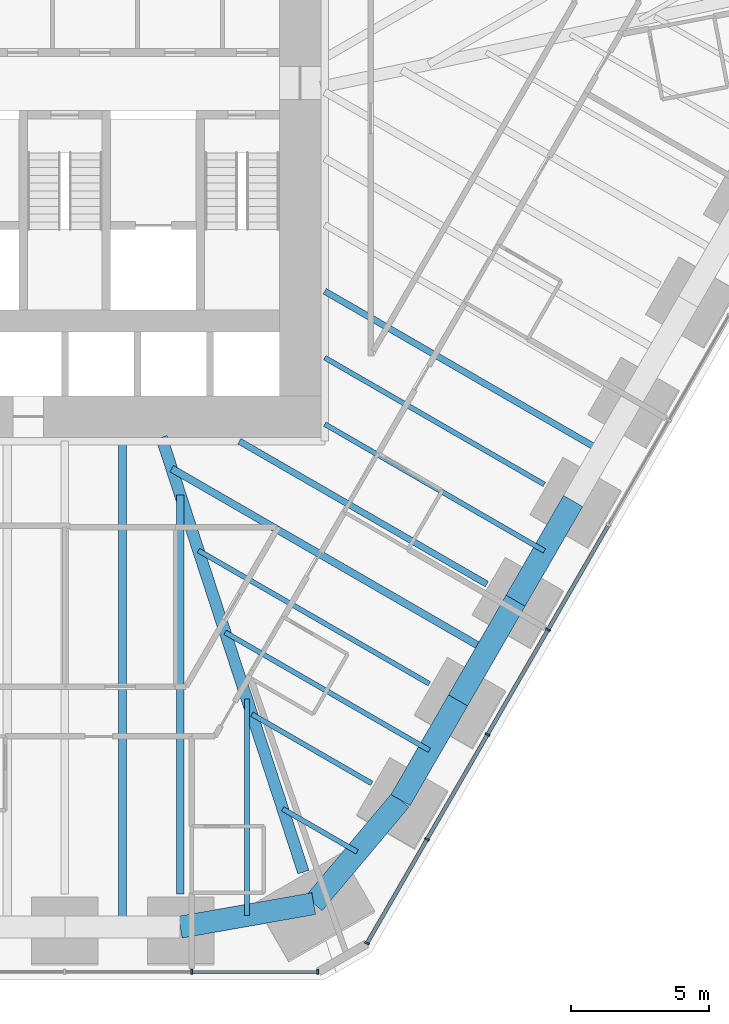
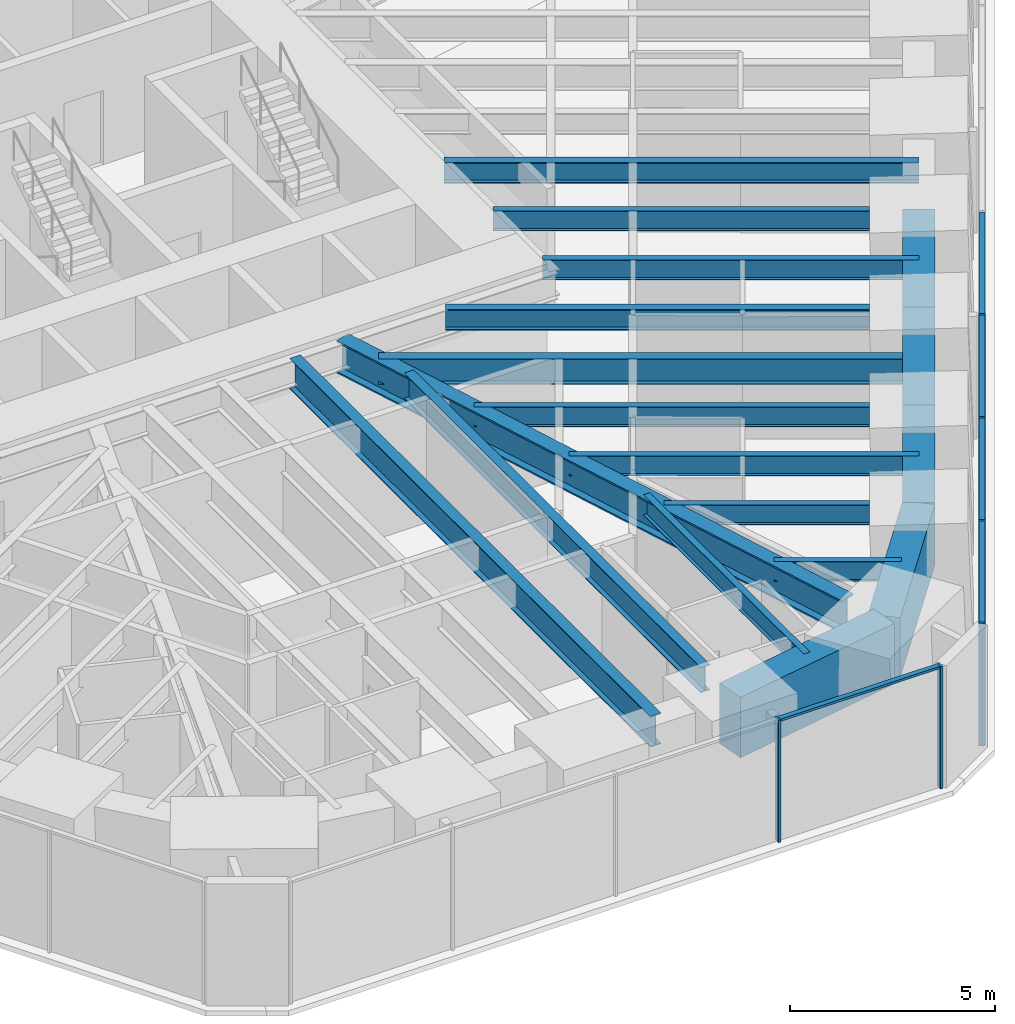
# One storey, part 5 of 17: 18 beams, 11 members, 2 elements without a shape of their own.
"""IFC4 building model written with IfcOpenShell, lengths in metres."""

from ifc_helpers import new_model, si_unit, direction, frame, origin, origin_2d, place, context, subcontext, project, spatial, rectangle, i_section, extrude, material, material_profile, profile_set, type_object, element, aggregate, save


model = new_model("IFC4")

# Units and contexts
model_context = context("Model", 3, precision=1e-05, world=origin(), true_north=direction((0.0, 1.0)))
body_context = subcontext(model_context, "Body", "Model", "MODEL_VIEW")
ifc_project = project(units=[si_unit("LENGTHUNIT", "METRE"), si_unit("AREAUNIT", "SQUARE_METRE"), si_unit("VOLUMEUNIT", "CUBIC_METRE"), si_unit("PLANEANGLEUNIT", "RADIAN"), si_unit("MASSUNIT", "GRAM", prefix="KILO")], contexts=[model_context])

# Site, building, storey
site_placement = place(None, origin())
site = spatial("IfcSite", under=ifc_project, at=site_placement, CompositionType="ELEMENT")
building_placement = place(site_placement, origin())
building = spatial("IfcBuilding", under=site, at=building_placement, Name="Sandreach Pilgrim Tower", CompositionType="ELEMENT")
storey_placement = place(building_placement, frame((0.0, 0.0, 61.0)))
storey = spatial("IfcBuildingStorey", under=building, at=storey_placement, Name="L14", CompositionType="ELEMENT", Elevation=61.0)

# Curtain wall, members
ifc_material_1 = material(Name="Aluminium framed curtain wall", Category="aluminium")
curtain_wall_type = type_object("IfcCurtainWallType", Name="Hostel tower curtain wall", PredefinedType="NOTDEFINED", material=ifc_material_1)
curtain_wall_1_placement = place(storey_placement, origin())
curtain_wall_1 = element("IfcCurtainWall", 1, at=curtain_wall_1_placement, inside=storey, type_object=curtain_wall_type, Name="CW-1 L14 SE", PredefinedType="NOTDEFINED")
ifc_material_2 = material(Name="Aluminium extrusion", Category="aluminium")
ifc_material_profile_1 = material_profile(ifc_material_2, rectangle(XDim=0.06494140625, YDim=0.179931640625, at=origin_2d()), Name="CW-1M 65X180")
ifc_profile_set_1 = profile_set([ifc_material_profile_1], Name="Aluminium extrusion")
member_type_1 = type_object("IfcMemberType", Name="CW-1 mullion", PredefinedType="MULLION", material=ifc_profile_set_1)
member_1_placement = place(storey_placement, frame((17.46142578125, -17.6533203125, 0.0), z_axis=(0.0, 0.0, 1.0), x_axis=(-0.5, -0.866025403784, 0.0)))
member_1 = element("IfcMember", 2, at=member_1_placement, type_object=member_type_1, Name="CW-1 mullion 7", PredefinedType="MULLION", context=body_context, shape_type="SweptSolid", body=[
    extrude(rectangle(XDim=0.06494140625, YDim=0.179931640625, at=origin_2d()), origin(), (0.0, 0.0, 1.0), 3.639892578125),
])
member_2_placement = place(storey_placement, frame((15.275634765625, -21.439208984375, 0.0), z_axis=(0.0, 0.0, 1.0), x_axis=(-0.5, -0.866025403784, 0.0)))
member_2 = element("IfcMember", 3, at=member_2_placement, type_object=member_type_1, Name="CW-1 mullion 8", PredefinedType="MULLION", context=body_context, shape_type="SweptSolid", body=[
    extrude(rectangle(XDim=0.06494140625, YDim=0.179931640625, at=origin_2d()), origin(), (0.0, 0.0, 1.0), 3.639892578125),
])
member_3_placement = place(storey_placement, frame((13.08984375, -25.22509765625, 0.0), z_axis=(0.0, 0.0, 1.0), x_axis=(-0.5, -0.866025403784, 0.0)))
member_3 = element("IfcMember", 4, at=member_3_placement, type_object=member_type_1, Name="CW-1 mullion 9", PredefinedType="MULLION", context=body_context, shape_type="SweptSolid", body=[
    extrude(rectangle(XDim=0.06494140625, YDim=0.179931640625, at=origin_2d()), origin(), (0.0, 0.0, 1.0), 3.639892578125),
])
member_4_placement = place(storey_placement, frame((10.92041015625, -28.982666015625, 0.0), z_axis=(0.0, 0.0, 1.0), x_axis=(-0.5, -0.866025403784, 0.0)))
member_4 = element("IfcMember", 5, at=member_4_placement, type_object=member_type_1, Name="CW-1 mullion 10", PredefinedType="MULLION", context=body_context, shape_type="SweptSolid", body=[
    extrude(rectangle(XDim=0.06494140625, YDim=0.179931640625, at=origin_2d()), origin(), (0.0, 0.0, 1.0), 3.639892578125),
])

curtain_wall_2_placement = place(storey_placement, origin())
curtain_wall_2 = element("IfcCurtainWall", 6, at=curtain_wall_2_placement, inside=storey, type_object=curtain_wall_type, Name="CW-1 L14 S", PredefinedType="NOTDEFINED")
member_5_placement = place(storey_placement, frame((9.1396484375, -30.010986328125, 0.0), z_axis=(0.0, 0.0, 1.0), x_axis=(-1.0, 0.0, 0.0)))
member_5 = element("IfcMember", 7, at=member_5_placement, type_object=member_type_1, Name="CW-1 mullion 1", PredefinedType="MULLION", context=body_context, shape_type="SweptSolid", body=[
    extrude(rectangle(XDim=0.06494140625, YDim=0.179931640625, at=origin_2d()), origin(), (0.0, 0.0, 1.0), 3.639892578125),
])
member_6_placement = place(storey_placement, frame((4.5859375, -30.010986328125, 0.0), z_axis=(0.0, 0.0, 1.0), x_axis=(-1.0, 0.0, 0.0)))
member_6 = element("IfcMember", 8, at=member_6_placement, type_object=member_type_1, Name="CW-1 mullion 2", PredefinedType="MULLION", context=body_context, shape_type="SweptSolid", body=[
    extrude(rectangle(XDim=0.06494140625, YDim=0.179931640625, at=origin_2d()), origin(), (0.0, 0.0, 1.0), 3.639892578125),
])

# Member
ifc_material_3 = material(Name="Aluminium extrusion", Category="aluminium")
ifc_material_profile_2 = material_profile(ifc_material_3, rectangle(XDim=0.139892578125, YDim=0.070068359375, at=origin_2d()), Name="CW-1T 140X70")
ifc_profile_set_2 = profile_set([ifc_material_profile_2], Name="Aluminium extrusion")
member_type_2 = type_object("IfcMemberType", Name="CW-1 transom", PredefinedType="USERDEFINED", material=ifc_profile_set_2)
member_7_placement = place(storey_placement, frame((19.631103515625, -13.8955078125, 3.60498046875), z_axis=(-0.500016891966, -0.866015650984, 0.0), x_axis=(0.866015650984, -0.500016891966, 0.0)))
member_7 = element("IfcMember", 9, at=member_7_placement, type_object=member_type_2, Name="CW-1 head transom 6", ObjectType="TRANSOM", PredefinedType="USERDEFINED", context=body_context, shape_type="SweptSolid", body=[
    extrude(rectangle(XDim=0.139892578125, YDim=0.070068359375, at=origin_2d()), origin(), (0.0, 0.0, 1.0), 4.306396484375),
])

member_8_placement = place(storey_placement, frame((17.4453125, -17.681396484375, 3.60498046875), z_axis=(-0.500016891966, -0.866015650984, 0.0), x_axis=(0.866015650984, -0.500016891966, 0.0)))
member_8 = element("IfcMember", 10, at=member_8_placement, type_object=member_type_2, Name="CW-1 head transom 7", ObjectType="TRANSOM", PredefinedType="USERDEFINED", context=body_context, shape_type="SweptSolid", body=[
    extrude(rectangle(XDim=0.139892578125, YDim=0.070068359375, at=origin_2d()), origin(), (0.0, 0.0, 1.0), 4.306396484375),
])

member_9_placement = place(storey_placement, frame((15.259521484375, -21.46728515625, 3.60498046875), z_axis=(-0.500016891966, -0.866015650984, 0.0), x_axis=(0.866015650984, -0.500016891966, 0.0)))
member_9 = element("IfcMember", 11, at=member_9_placement, type_object=member_type_2, Name="CW-1 head transom 8", ObjectType="TRANSOM", PredefinedType="USERDEFINED", context=body_context, shape_type="SweptSolid", body=[
    extrude(rectangle(XDim=0.139892578125, YDim=0.070068359375, at=origin_2d()), origin(), (0.0, 0.0, 1.0), 4.306396484375),
])

member_10_placement = place(storey_placement, frame((13.07373046875, -25.253173828125, 3.60498046875), z_axis=(-0.500033953635, -0.866005799756, 0.0), x_axis=(0.866005799756, -0.500033953635, 0.0)))
member_10 = element("IfcMember", 12, at=member_10_placement, type_object=member_type_2, Name="CW-1 head transom 9", ObjectType="TRANSOM", PredefinedType="USERDEFINED", context=body_context, shape_type="SweptSolid", body=[
    extrude(rectangle(XDim=0.139892578125, YDim=0.070068359375, at=origin_2d()), origin(), (0.0, 0.0, 1.0), 4.274169921875),
])

aggregate(curtain_wall_1, [member_1, member_2, member_3, member_4, member_7, member_8, member_9, member_10])

member_11_placement = place(storey_placement, frame((9.107177734375, -30.010986328125, 3.60498046875), z_axis=(-1.0, 0.0, 0.0), x_axis=(0.0, -1.0, 0.0)))
member_11 = element("IfcMember", 13, at=member_11_placement, type_object=member_type_2, Name="CW-1 head transom 1", ObjectType="TRANSOM", PredefinedType="USERDEFINED", context=body_context, shape_type="SweptSolid", body=[
    extrude(rectangle(XDim=0.139892578125, YDim=0.070068359375, at=origin_2d()), origin(), (0.0, 0.0, 1.0), 4.488525390625),
])

aggregate(curtain_wall_2, [member_5, member_6, member_11])

# Beams
ifc_material_4 = material(Name="Steel ASTM A992 Grade 50", Category="steel")
ifc_material_profile_3 = material_profile(ifc_material_4, i_section(OverallWidth=0.421630859375, OverallDepth=0.95751953125, WebThickness=0.02587890625, FlangeThickness=0.046875, at=origin_2d()), Name="W36X330")
ifc_profile_set_3 = profile_set([ifc_material_profile_3], Name="Steel ASTM A992 Grade 50")
beam_type_1 = type_object("IfcBeamType", Name="Corner girder W36X330", PredefinedType="BEAM", material=ifc_profile_set_3)
beam_1_placement = place(storey_placement, frame((8.62109375, -26.41015625, 3.1611328125), z_axis=(-0.310322772323, 0.950631251842, 0.0), x_axis=(-0.950631251842, -0.310322772323, 0.0)))
element("IfcBeam", 14, at=beam_1_placement, inside=storey, type_object=beam_type_1, Name="BM L14 CG22", PredefinedType="BEAM", context=body_context, shape_type="SweptSolid", body=[
    extrude(i_section(OverallWidth=0.421630859375, OverallDepth=0.95751953125, WebThickness=0.02587890625, FlangeThickness=0.046875, at=origin_2d()), origin(), (0.0, 0.0, 1.0), 16.526123046875),
])
ifc_material_5 = material(Name="Steel ASTM A992 Grade 50", Category="steel")
ifc_material_profile_4 = material_profile(ifc_material_5, i_section(OverallWidth=0.1787109375, OverallDepth=0.60205078125, WebThickness=0.010986328125, FlangeThickness=0.014892578125, at=origin_2d()), Name="W24X62")
ifc_profile_set_4 = profile_set([ifc_material_profile_4], Name="Steel ASTM A992 Grade 50")
beam_type_2 = type_object("IfcBeamType", Name="Floor beam W24X62", PredefinedType="BEAM", material=ifc_profile_set_4)
beam_2_placement = place(storey_placement, frame((17.328369140625, -12.4052734375, 3.339111328125), z_axis=(-0.866025847402, 0.499999231632, 0.0), x_axis=(-0.499999231632, -0.866025847402, 0.0)))
element("IfcBeam", 15, at=beam_2_placement, inside=storey, type_object=beam_type_2, Name="BM L14 F18", PredefinedType="BEAM", context=body_context, shape_type="SweptSolid", body=[
    extrude(i_section(OverallWidth=0.1787109375, OverallDepth=0.60205078125, WebThickness=0.010986328125, FlangeThickness=0.014892578125, at=origin_2d()), origin(), (0.0, 0.0, 1.0), 9.16259765625),
])
beam_3_placement = place(storey_placement, frame((13.17041015625, -19.607421875, 3.339111328125), z_axis=(-0.86602604797, 0.499998884236, 0.0), x_axis=(-0.499998884236, -0.86602604797, 0.0)))
element("IfcBeam", 16, at=beam_3_placement, inside=storey, type_object=beam_type_2, Name="BM L14 F20", PredefinedType="BEAM", context=body_context, shape_type="SweptSolid", body=[
    extrude(i_section(OverallWidth=0.1787109375, OverallDepth=0.60205078125, WebThickness=0.010986328125, FlangeThickness=0.014892578125, at=origin_2d()), origin(), (0.0, 0.0, 1.0), 9.6328125),
])
beam_4_placement = place(storey_placement, frame((11.09130859375, -23.208251953125, 3.339111328125), z_axis=(-0.866023836113, 0.500002715276, 0.0), x_axis=(-0.500002715276, -0.866023836113, 0.0)))
element("IfcBeam", 17, at=beam_4_placement, inside=storey, type_object=beam_type_2, Name="BM L14 F21", PredefinedType="BEAM", context=body_context, shape_type="SweptSolid", body=[
    extrude(i_section(OverallWidth=0.1787109375, OverallDepth=0.60205078125, WebThickness=0.010986328125, FlangeThickness=0.014892578125, at=origin_2d()), origin(), (0.0, 0.0, 1.0), 5.001953125),
])
beam_5_placement = place(storey_placement, frame((17.328125, -14.8056640625, 3.339111328125), z_axis=(-0.866030723977, 0.499990785043, 0.0), x_axis=(-0.499990785043, -0.866030723977, 0.0)))
element("IfcBeam", 18, at=beam_5_placement, inside=storey, type_object=beam_type_2, Name="BM L14 FM18", PredefinedType="BEAM", context=body_context, shape_type="SweptSolid", body=[
    extrude(i_section(OverallWidth=0.1787109375, OverallDepth=0.60205078125, WebThickness=0.010986328125, FlangeThickness=0.014892578125, at=origin_2d()), origin(), (0.0, 0.0, 1.0), 9.162353515625),
])
beam_6_placement = place(storey_placement, frame((13.169921875, -22.0078125, 3.339111328125), z_axis=(-0.866031407177, 0.499989601675, 0.0), x_axis=(-0.499989601675, -0.866031407177, 0.0)))
element("IfcBeam", 19, at=beam_6_placement, inside=storey, type_object=beam_type_2, Name="BM L14 FM20", PredefinedType="BEAM", context=body_context, shape_type="SweptSolid", body=[
    extrude(i_section(OverallWidth=0.1787109375, OverallDepth=0.60205078125, WebThickness=0.010986328125, FlangeThickness=0.014892578125, at=origin_2d()), origin(), (0.0, 0.0, 1.0), 8.517333984375),
])
beam_7_placement = place(storey_placement, frame((10.56201171875, -25.6796875, 3.339111328125), z_axis=(-0.86602039108, 0.500008682159, 0.0), x_axis=(-0.500008682159, -0.86602039108, 0.0)))
element("IfcBeam", 20, at=beam_7_placement, inside=storey, type_object=beam_type_2, Name="BM L14 FM21", PredefinedType="BEAM", context=body_context, shape_type="SweptSolid", body=[
    extrude(i_section(OverallWidth=0.1787109375, OverallDepth=0.60205078125, WebThickness=0.010986328125, FlangeThickness=0.014892578125, at=origin_2d()), origin(), (0.0, 0.0, 1.0), 3.10107421875),
])
beam_8_placement = place(storey_placement, frame((6.582275390625, -27.976318359375, 3.339111328125), z_axis=(0.0, 1.0, 0.0), x_axis=(-1.0, 0.0, 0.0)))
element("IfcBeam", 21, at=beam_8_placement, inside=storey, type_object=beam_type_2, Name="BM L14 FM22", PredefinedType="BEAM", context=body_context, shape_type="SweptSolid", body=[
    extrude(i_section(OverallWidth=0.1787109375, OverallDepth=0.60205078125, WebThickness=0.010986328125, FlangeThickness=0.014892578125, at=origin_2d()), origin(), (0.0, 0.0, 1.0), 7.811767578125),
])
ifc_material_6 = material(Name="Steel ASTM A992 Grade 50", Category="steel")
ifc_material_profile_5 = material_profile(ifc_material_6, i_section(OverallWidth=0.23046875, OverallDepth=0.6171875, WebThickness=0.01318359375, FlangeThickness=0.022216796875, at=origin_2d()), Name="W24X94")
ifc_profile_set_5 = profile_set([ifc_material_profile_5], Name="Steel ASTM A992 Grade 50")
beam_type_3 = type_object("IfcBeamType", Name="Floor beam W24X94", PredefinedType="BEAM", material=ifc_profile_set_5)
beam_9_placement = place(storey_placement, frame((15.249267578125, -16.00634765625, 3.331298828125), z_axis=(-0.866017066474, 0.500014440368, 0.0), x_axis=(-0.500014440368, -0.866017066474, 0.0)))
element("IfcBeam", 22, at=beam_9_placement, inside=storey, type_object=beam_type_3, Name="BM L14 F19", PredefinedType="BEAM", context=body_context, shape_type="SweptSolid", body=[
    extrude(i_section(OverallWidth=0.23046875, OverallDepth=0.6171875, WebThickness=0.01318359375, FlangeThickness=0.022216796875, at=origin_2d()), origin(), (0.0, 0.0, 1.0), 10.325927734375),
])
beam_10_placement = place(storey_placement, frame((19.4072265625, -11.204833984375, 3.331298828125), z_axis=(-0.866027012793, 0.499997213105, 0.0), x_axis=(-0.499997213105, -0.866027012793, 0.0)))
element("IfcBeam", 23, at=beam_10_placement, inside=storey, type_object=beam_type_3, Name="BM L14 FM17", PredefinedType="BEAM", context=body_context, shape_type="SweptSolid", body=[
    extrude(i_section(OverallWidth=0.23046875, OverallDepth=0.6171875, WebThickness=0.01318359375, FlangeThickness=0.022216796875, at=origin_2d()), origin(), (0.0, 0.0, 1.0), 11.56298828125),
])
ifc_material_7 = material(Name="Steel ASTM A992 Grade 50", Category="steel")
ifc_material_profile_6 = material_profile(ifc_material_7, i_section(OverallWidth=0.2666015625, OverallDepth=0.761962890625, WebThickness=0.014404296875, FlangeThickness=0.021484375, at=origin_2d()), Name="W30X116")
ifc_profile_set_6 = profile_set([ifc_material_profile_6], Name="Steel ASTM A992 Grade 50")
beam_type_4 = type_object("IfcBeamType", Name="Floor beam W30X116", PredefinedType="BEAM", material=ifc_profile_set_6)
beam_11_placement = place(storey_placement, frame((4.171142578125, -27.201904296875, 3.259033203125), z_axis=(0.0, 1.0, 0.0), x_axis=(-1.0, 0.0, 0.0)))
element("IfcBeam", 24, at=beam_11_placement, inside=storey, type_object=beam_type_4, Name="BM L14 F23", PredefinedType="BEAM", context=body_context, shape_type="SweptSolid", body=[
    extrude(i_section(OverallWidth=0.2666015625, OverallDepth=0.761962890625, WebThickness=0.014404296875, FlangeThickness=0.021484375, at=origin_2d()), origin(), (0.0, 0.0, 1.0), 14.424072265625),
])
beam_12_placement = place(storey_placement, frame((15.2490234375, -18.40673828125, 3.259033203125), z_axis=(-0.866025719009, 0.499999454014, 0.0), x_axis=(-0.499999454014, -0.866025719009, 0.0)))
element("IfcBeam", 25, at=beam_12_placement, inside=storey, type_object=beam_type_4, Name="BM L14 FM19", PredefinedType="BEAM", context=body_context, shape_type="SweptSolid", body=[
    extrude(i_section(OverallWidth=0.2666015625, OverallDepth=0.761962890625, WebThickness=0.014404296875, FlangeThickness=0.021484375, at=origin_2d()), origin(), (0.0, 0.0, 1.0), 13.14794921875),
])
ifc_material_8 = material(Name="Steel ASTM A992 Grade 50", Category="steel")
ifc_material_profile_7 = material_profile(ifc_material_8, i_section(OverallWidth=0.3046875, OverallDepth=0.914306640625, WebThickness=0.0166015625, FlangeThickness=0.02587890625, at=origin_2d()), Name="W36X160")
ifc_profile_set_7 = profile_set([ifc_material_profile_7], Name="Steel ASTM A992 Grade 50")
beam_type_5 = type_object("IfcBeamType", Name="Floor beam W36X160", PredefinedType="BEAM", material=ifc_profile_set_7)
beam_13_placement = place(storey_placement, frame((2.08544921875, -28.40185546875, 3.182861328125), z_axis=(0.0, 1.0, 0.0), x_axis=(-1.0, 0.0, 0.0)))
element("IfcBeam", 26, at=beam_13_placement, inside=storey, type_object=beam_type_5, Name="BM L14 FM23", PredefinedType="BEAM", context=body_context, shape_type="SweptSolid", body=[
    extrude(i_section(OverallWidth=0.3046875, OverallDepth=0.914306640625, WebThickness=0.0166015625, FlangeThickness=0.02587890625, at=origin_2d()), origin(), (0.0, 0.0, 1.0), 17.55859375),
])
ifc_material_9 = material(Name="Concrete 10000 psi", Category="concrete")
ifc_material_profile_8 = material_profile(ifc_material_9, rectangle(XDim=0.800048828125, YDim=1.800048828125, at=origin_2d()), Name="RC800X1800")
ifc_profile_set_8 = profile_set([ifc_material_profile_8], Name="Concrete 10000 psi")
beam_type_6 = type_object("IfcBeamType", Name="Spandrel beam RC800X1800", PredefinedType="SPANDREL", material=ifc_profile_set_8)
beam_14_placement = place(storey_placement, frame((18.36767578125, -13.00537109375, 2.739990234375), z_axis=(-0.50002910309, -0.866008600455, 0.0), x_axis=(0.866008600455, -0.50002910309, 0.0)))
element("IfcBeam", 27, at=beam_14_placement, inside=storey, type_object=beam_type_6, Name="BM L14 SP18", PredefinedType="SPANDREL", context=body_context, shape_type="SweptSolid", body=[
    extrude(rectangle(XDim=0.800048828125, YDim=1.800048828125, at=origin_2d()), origin(), (0.0, 0.0, 1.0), 4.157958984375),
])
beam_15_placement = place(storey_placement, frame((16.28857421875, -16.606201171875, 2.739990234375), z_axis=(-0.500003678222, -0.866023280152, 0.0), x_axis=(0.866023280152, -0.500003678222, 0.0)))
element("IfcBeam", 28, at=beam_15_placement, inside=storey, type_object=beam_type_6, Name="BM L14 SP19", PredefinedType="SPANDREL", context=body_context, shape_type="SweptSolid", body=[
    extrude(rectangle(XDim=0.800048828125, YDim=1.800048828125, at=origin_2d()), origin(), (0.0, 0.0, 1.0), 4.158203125),
])
beam_16_placement = place(storey_placement, frame((14.20947265625, -20.207275390625, 2.739990234375), z_axis=(-0.499959641417, -0.86604870357, 0.0), x_axis=(0.86604870357, -0.499959641417, 0.0)))
element("IfcBeam", 29, at=beam_16_placement, inside=storey, type_object=beam_type_6, Name="BM L14 SP20", PredefinedType="SPANDREL", context=body_context, shape_type="SweptSolid", body=[
    extrude(rectangle(XDim=0.800048828125, YDim=1.800048828125, at=origin_2d()), origin(), (0.0, 0.0, 1.0), 4.157958984375),
])
beam_17_placement = place(storey_placement, frame((12.130615234375, -23.808349609375, 2.739990234375), z_axis=(-0.642394495368, -0.766374133385, 0.0), x_axis=(0.766374133385, -0.642394495368, 0.0)))
element("IfcBeam", 30, at=beam_17_placement, inside=storey, type_object=beam_type_6, Name="BM L14 SP21", PredefinedType="SPANDREL", context=body_context, shape_type="SweptSolid", body=[
    extrude(rectangle(XDim=0.800048828125, YDim=1.800048828125, at=origin_2d()), origin(), (0.0, 0.0, 1.0), 4.883544921875),
])
beam_18_placement = place(storey_placement, frame((8.993408203125, -27.551025390625, 2.739990234375), z_axis=(-0.984789079474, -0.173754047285, 0.0), x_axis=(0.173754047285, -0.984789079474, 0.0)))
element("IfcBeam", 31, at=beam_18_placement, inside=storey, type_object=beam_type_6, Name="BM L14 SP22", PredefinedType="SPANDREL", context=body_context, shape_type="SweptSolid", body=[
    extrude(rectangle(XDim=0.800048828125, YDim=1.800048828125, at=origin_2d()), origin(), (0.0, 0.0, 1.0), 4.896728515625),
])

save(model, "model.ifc")
